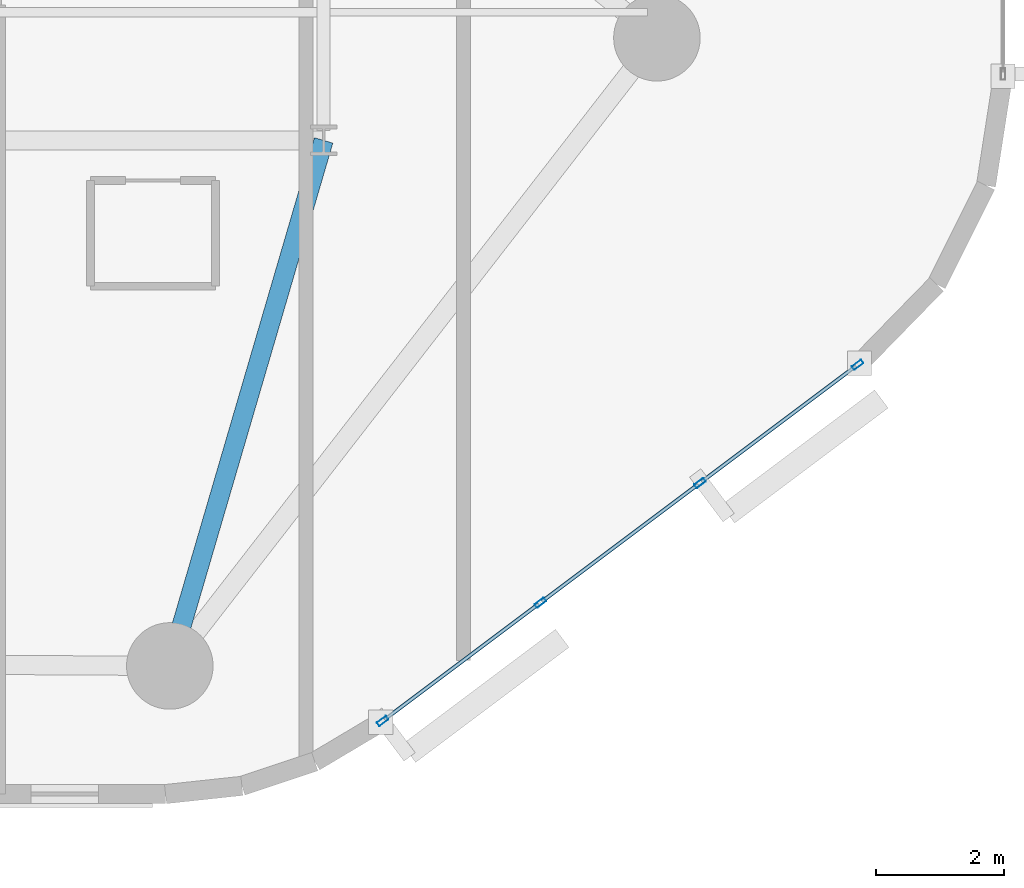
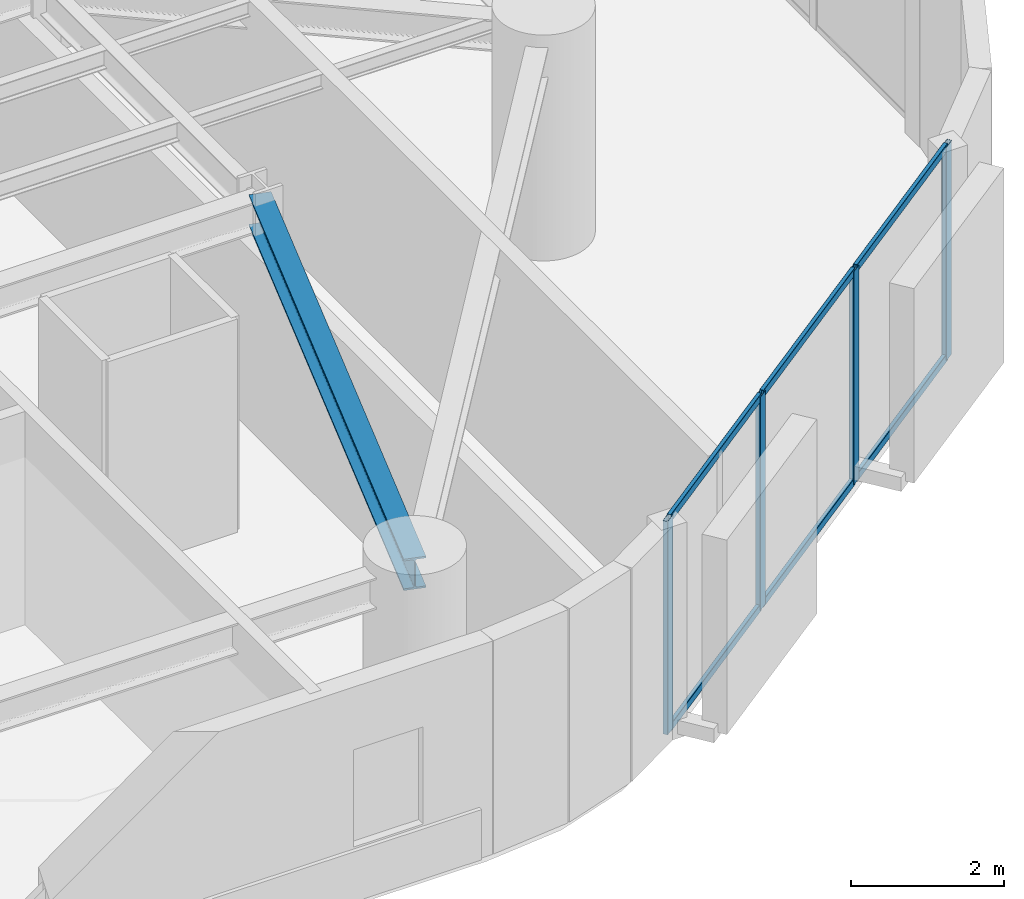
# One storey, part 2 of 16: 10 members, 1 beam, 1 element without a shape of its own.
"""IFC4 building model written with IfcOpenShell, lengths in metres."""

import ifcopenshell
import ifcopenshell.guid

model = None  # the IFC model being written
_history = None  # IfcOwnerHistory: only IFC2X3 demands one
_inside = {}  # id of a spatial element -> (the spatial element, [elements in it])
_under = {}  # id of a project, library or spatial element -> (it, [spatial elements below it])
_declared = {}  # id of a project -> (the project, [libraries it declares])
_typed = {}  # id of a type object -> (the type object, [elements of that type])
_made_of = {}  # id of a material, layer set ... -> (it, [elements and type objects made of it])


def new_model(schema):
    """Start an empty IFC model of exactly this schema.

    Asked for "IFC4X3", IfcOpenShell would pick the latest addendum, in which some entities
    have other attributes; the version numbers below select the first issue.
    IFC2X3 requires an IfcOwnerHistory on every rooted entity: one is made here for all.
    """
    global model, _history
    if schema == "IFC4X3":
        model = ifcopenshell.file(schema_version=(4, 3, 0, 0))
    else:
        model = ifcopenshell.file(schema=schema)
    _inside.clear()
    _under.clear()
    _declared.clear()
    _typed.clear()
    _made_of.clear()
    _history = None
    if model.schema == "IFC2X3":
        org = make("IfcOrganization", Name="unknown")
        user = make(
            "IfcPersonAndOrganization",
            ThePerson=make("IfcPerson", FamilyName="unknown"),
            TheOrganization=org,
        )
        app = make(
            "IfcApplication",
            ApplicationDeveloper=org,
            Version="unknown",
            ApplicationFullName="unknown",
            ApplicationIdentifier="unknown",
        )
        _history = make(
            "IfcOwnerHistory",
            OwningUser=user,
            OwningApplication=app,
            ChangeAction="ADDED",
            CreationDate=0,
        )
    return model


def make(cls, **values):
    """One entity of the class cls with the attributes given. An attribute that is None is left unset."""
    return model.create_entity(
        cls, **{name: value for name, value in values.items() if value is not None}
    )


def rooted(cls, **values):
    """An entity with a GlobalId (a new one), such as an element, a storey or a relation."""
    return make(cls, GlobalId=ifcopenshell.guid.new(), OwnerHistory=_history, **values)


def si_unit(unit_type, name, prefix=None):
    """IfcSIUnit, for example si_unit("LENGTHUNIT", "METRE", prefix="MILLI")."""
    return make("IfcSIUnit", UnitType=unit_type, Prefix=prefix, Name=name)


def assignment(units):
    """IfcUnitAssignment: the units of a project."""
    return None if units is None else make("IfcUnitAssignment", Units=units)


def point(xyz):
    """IfcCartesianPoint."""
    return None if xyz is None else make("IfcCartesianPoint", Coordinates=xyz)


def direction(xyz):
    """IfcDirection."""
    return None if xyz is None else make("IfcDirection", DirectionRatios=xyz)


def frame(location, z_axis=None, x_axis=None):
    """IfcAxis2Placement3D, a coordinate frame: its origin and axes. An axis left out is left unset."""
    return make(
        "IfcAxis2Placement3D",
        Location=point(location),
        Axis=direction(z_axis),
        RefDirection=direction(x_axis),
    )


def frame_2d(location, x_axis=None):
    """IfcAxis2Placement2D, a coordinate frame in the plane: its origin and x axis."""
    return make(
        "IfcAxis2Placement2D", Location=point(location), RefDirection=direction(x_axis)
    )


def origin():
    """The frame at (0, 0, 0) with its axes left unset."""
    return frame((0.0, 0.0, 0.0))


def origin_2d():
    """The frame at (0, 0) in the plane with its x axis left unset."""
    return frame_2d((0.0, 0.0))


def place(relative_to, where):
    """IfcLocalPlacement: puts the frame where relative to a parent placement (None: the world)."""
    return make(
        "IfcLocalPlacement", PlacementRelTo=relative_to, RelativePlacement=where
    )


def context(
    kind, dimensions, precision=None, world=None, true_north=None, identifier=None
):
    """IfcGeometricRepresentationContext, for example the 3D "Model" context."""
    return make(
        "IfcGeometricRepresentationContext",
        ContextIdentifier=identifier,
        ContextType=kind,
        CoordinateSpaceDimension=dimensions,
        Precision=precision,
        WorldCoordinateSystem=world,
        TrueNorth=true_north,
    )


def subcontext(parent, identifier, kind, view, scale=None):
    """IfcGeometricRepresentationSubContext, for example "Body" below "Model"."""
    return make(
        "IfcGeometricRepresentationSubContext",
        ContextIdentifier=identifier,
        ContextType=kind,
        ParentContext=parent,
        TargetScale=scale,
        TargetView=view,
    )


def project(units=None, contexts=None):
    """IfcProject with its units and contexts."""
    return rooted(
        "IfcProject",
        Name="project",
        RepresentationContexts=contexts,
        UnitsInContext=assignment(units),
    )


def spatial(cls, under=None, at=None, **own):
    """A site, building, storey or space (cls), placed at a placement, below another one or the project."""
    s = rooted(cls, ObjectPlacement=at, **own)
    if under is not None:
        _under.setdefault(under.id(), (under, []))[1].append(s)
    return s


def profile(cls, at=None, kind="AREA", **sizes):
    """A parametric profile (cls). Its sizes go by their IFC names, for example OverallWidth=200.0."""
    return make(cls, ProfileType=kind, Position=at, **sizes)


def hollow_rectangle(**sizes):
    """IfcRectangleHollowProfileDef."""
    return profile("IfcRectangleHollowProfileDef", **sizes)


def i_section(**sizes):
    """IfcIShapeProfileDef."""
    return profile("IfcIShapeProfileDef", **sizes)


def extrude(swept, where, along, depth):
    """IfcExtrudedAreaSolid: the profile swept, set in the frame where, extruded along a direction by depth."""
    return make(
        "IfcExtrudedAreaSolid",
        SweptArea=swept,
        Position=where,
        ExtrudedDirection=direction(along),
        Depth=depth,
    )


def shape(context_of_items, identifier, shape_type, items):
    """IfcShapeRepresentation: the items that make up one representation, for example the "Body"."""
    return make(
        "IfcShapeRepresentation",
        ContextOfItems=context_of_items,
        RepresentationIdentifier=identifier,
        RepresentationType=shape_type,
        Items=items,
    )


def material(Name=None, Category=None):
    """IfcMaterial."""
    return make("IfcMaterial", Name=Name, Category=Category)


def layer(
    of_material, thickness, ventilated=None, Name=None, Category=None, Priority=None
):
    """IfcMaterialLayer: one layer of a wall or slab, of a material (None: an air gap)."""
    return make(
        "IfcMaterialLayer",
        Material=of_material,
        LayerThickness=thickness,
        IsVentilated=ventilated,
        Name=Name,
        Category=Category,
        Priority=Priority,
    )


def layer_set(layers, Name=None):
    """IfcMaterialLayerSet."""
    return make("IfcMaterialLayerSet", MaterialLayers=layers, LayerSetName=Name)


def material_profile(
    of_material, cross_section, Name=None, Category=None, Priority=None
):
    """IfcMaterialProfile: a cross section and its material."""
    return make(
        "IfcMaterialProfile",
        Name=Name,
        Material=of_material,
        Profile=cross_section,
        Priority=Priority,
        Category=Category,
    )


def profile_set(profiles, Name=None, composite=None):
    """IfcMaterialProfileSet."""
    return make(
        "IfcMaterialProfileSet",
        Name=Name,
        MaterialProfiles=profiles,
        CompositeProfile=composite,
    )


def made_of(thing, what):
    """Note that an element or type object is made of a material, layer set ...; save() writes the relation."""
    if what is not None:
        _made_of.setdefault(what.id(), (what, []))[1].append(thing)
    return thing


def type_object(cls, material=None, **own):
    """A type object (cls), such as IfcWallType, which elements share."""
    return made_of(rooted(cls, **own), material)


def element(
    cls,
    number,
    at=None,
    inside=None,
    cuts=None,
    type_object=None,
    material=None,
    context=None,
    identifier="Body",
    shape_type=None,
    held_by="IfcProductDefinitionShape",
    body=None,
    shapes=None,
    **own,
):
    """One element of the class cls, such as IfcWall. Its Tag is "e" and its number.

    at: its placement. inside: the storey or other place that contains it. cuts: it is an
    opening in that element (IfcRelVoidsElement). A single representation is given by context,
    identifier, shape_type and body (its items); several are given by shapes. held_by: the class
    of the entity that holds the representations. save() writes the other relations.
    """
    e = rooted(cls, Tag="e%d" % number, ObjectPlacement=at, **own)
    if body is not None:
        shapes = [shape(context, identifier, shape_type, body)]
    if shapes is not None:
        e.Representation = make(held_by, Representations=shapes)
    if inside is not None:
        _inside.setdefault(inside.id(), (inside, []))[1].append(e)
    if cuts is not None:
        rooted(
            "IfcRelVoidsElement", RelatingBuildingElement=cuts, RelatedOpeningElement=e
        )
    if type_object is not None:
        _typed.setdefault(type_object.id(), (type_object, []))[1].append(e)
    return made_of(e, material)


def aggregate(whole, parts):
    """IfcRelAggregates: a whole, such as a stair, and the parts it consists of."""
    return rooted("IfcRelAggregates", RelatingObject=whole, RelatedObjects=parts)


def save(model, path):
    """Write the relations noted so far, then the file.

    IfcRelAggregates (storeys below a building ...), IfcRelContainedInSpatialStructure (elements
    in a storey), IfcRelDefinesByType, IfcRelAssociatesMaterial and IfcRelDeclares: one each for
    every whole, place, type object, material and project.
    """
    for whole, parts in _under.values():
        aggregate(whole, parts)
    for where, things in _inside.values():
        rooted(
            "IfcRelContainedInSpatialStructure",
            RelatedElements=things,
            RelatingStructure=where,
        )
    for kind, things in _typed.values():
        rooted("IfcRelDefinesByType", RelatedObjects=things, RelatingType=kind)
    for what, things in _made_of.values():
        rooted("IfcRelAssociatesMaterial", RelatedObjects=things, RelatingMaterial=what)
    for by, libraries in _declared.values():
        rooted("IfcRelDeclares", RelatingContext=by, RelatedDefinitions=libraries)
    model.write(path)


model = new_model("IFC4")

# Units and contexts
model_context = context("Model", 3, precision=1e-05, world=origin(), true_north=direction((0.0, 1.0)))
body_context = subcontext(model_context, "Body", "Model", "MODEL_VIEW")
ifc_project = project(units=[si_unit("LENGTHUNIT", "METRE"), si_unit("AREAUNIT", "SQUARE_METRE"), si_unit("VOLUMEUNIT", "CUBIC_METRE"), si_unit("PLANEANGLEUNIT", "RADIAN"), si_unit("MASSUNIT", "GRAM", prefix="KILO")], contexts=[model_context])

# Site, building, storey
site_placement = place(None, origin())
site = spatial("IfcSite", under=ifc_project, at=site_placement, CompositionType="ELEMENT")
building_placement = place(site_placement, origin())
building = spatial("IfcBuilding", under=site, at=building_placement, Name="An Khanh Terracotta Commons", CompositionType="ELEMENT")
storey_placement = place(building_placement, frame((0.0, 0.0, 89.89990234375)))
storey = spatial("IfcBuildingStorey", under=building, at=storey_placement, Name="L23", CompositionType="ELEMENT", Elevation=89.89990234375)

# Beam
ifc_material_1 = material(Name="Steel S355J2", Category="steel")
ifc_material_profile_1 = material_profile(ifc_material_1, i_section(OverallWidth=0.300048828125, OverallDepth=0.5, WebThickness=0.014404296875, FlangeThickness=0.028076171875, FilletRadius=0.027099609375, at=origin_2d()), Name="HEB500")
ifc_profile_set_1 = profile_set([ifc_material_profile_1], Name="Steel S355J2")
beam_type = type_object("IfcBeamType", Name="BM-HEB500", PredefinedType="BEAM", material=ifc_profile_set_1)
beam_placement = place(storey_placement, frame((44.39990234375, 6.199951171875, 3.150146484375), z_axis=(0.280916085823, 0.959732333896, 0.0), x_axis=(-0.959732333896, 0.280916085823, 0.0)))
element("IfcBeam", 1, at=beam_placement, inside=storey, type_object=beam_type, Name="L23 Mega-Column Tie Girder 2", PredefinedType="BEAM", context=body_context, shape_type="SweptSolid", body=[
    extrude(i_section(OverallWidth=0.300048828125, OverallDepth=0.5, WebThickness=0.014404296875, FlangeThickness=0.028076171875, FilletRadius=0.027099609375, at=origin_2d()), origin(), (0.0, 0.0, 1.0), 8.5439453125),
])

# Curtain wall, members
ifc_material_2 = material(Name="Anodised Aluminium 6063-T6", Category="aluminium")
ifc_layer = layer(ifc_material_2, 0.199951171875, Name="Anodised Aluminium 6063-T6")
ifc_layer_set = layer_set([ifc_layer], Name="Anodised Aluminium 6063-T6")
curtain_wall_type = type_object("IfcCurtainWallType", Name="CW-SYS-02", PredefinedType="USERDEFINED", material=ifc_layer_set)
curtain_wall_placement = place(storey_placement, origin())
curtain_wall = element("IfcCurtainWall", 2, at=curtain_wall_placement, inside=storey, type_object=curtain_wall_type, Name="L23 CW-02 Unitised Curtain Wall CW-L23-08", ObjectType="UNITISED CURTAIN WALL", PredefinedType="USERDEFINED")
ifc_material_profile_2 = material_profile(ifc_material_2, hollow_rectangle(XDim=0.070068359375, YDim=0.179931640625, WallThickness=0.00390625, InnerFilletRadius=0.00390625, OuterFilletRadius=0.008056640625, at=origin_2d()), Name="RHS180x70x4")
ifc_profile_set_2 = profile_set([ifc_material_profile_2], Name="Anodised Aluminium 6063-T6")
member_type_1 = type_object("IfcMemberType", Name="CWM-RHS180x70x4", PredefinedType="MULLION", material=ifc_profile_set_2)
member_1_placement = place(storey_placement, frame((47.720947265625, 5.341064453125, 0.0), z_axis=(0.0, 0.0, 1.0), x_axis=(-0.599982857492, 0.800012856594, 0.0)))
member_1 = element("IfcMember", 3, at=member_1_placement, type_object=member_type_1, Name="CW-02 mullion 1", PredefinedType="MULLION", context=body_context, shape_type="SweptSolid", body=[
    extrude(hollow_rectangle(XDim=0.070068359375, YDim=0.179931640625, WallThickness=0.00390625, InnerFilletRadius=0.00390625, OuterFilletRadius=0.008056640625, at=origin_2d()), origin(), (0.0, 0.0, 1.0), 3.400146484375),
])
member_2_placement = place(storey_placement, frame((50.181884765625, 7.186767578125, 0.0), z_axis=(0.0, 0.0, 1.0), x_axis=(-0.599982857492, 0.800012856594, 0.0)))
member_2 = element("IfcMember", 4, at=member_2_placement, type_object=member_type_1, Name="CW-02 mullion 2", PredefinedType="MULLION", context=body_context, shape_type="SweptSolid", body=[
    extrude(hollow_rectangle(XDim=0.070068359375, YDim=0.179931640625, WallThickness=0.00390625, InnerFilletRadius=0.00390625, OuterFilletRadius=0.008056640625, at=origin_2d()), origin(), (0.0, 0.0, 1.0), 3.400146484375),
])
member_3_placement = place(storey_placement, frame((52.6708984375, 9.05322265625, 0.0), z_axis=(0.0, 0.0, 1.0), x_axis=(-0.599982857492, 0.800012856594, 0.0)))
member_3 = element("IfcMember", 5, at=member_3_placement, type_object=member_type_1, Name="CW-02 mullion 3", PredefinedType="MULLION", context=body_context, shape_type="SweptSolid", body=[
    extrude(hollow_rectangle(XDim=0.070068359375, YDim=0.179931640625, WallThickness=0.00390625, InnerFilletRadius=0.00390625, OuterFilletRadius=0.008056640625, at=origin_2d()), origin(), (0.0, 0.0, 1.0), 3.400146484375),
])
member_4_placement = place(storey_placement, frame((55.132080078125, 10.89892578125, 0.0), z_axis=(0.0, 0.0, 1.0), x_axis=(-0.599982857492, 0.800012856594, 0.0)))
member_4 = element("IfcMember", 6, at=member_4_placement, type_object=member_type_1, Name="CW-02 mullion 4", PredefinedType="MULLION", context=body_context, shape_type="SweptSolid", body=[
    extrude(hollow_rectangle(XDim=0.070068359375, YDim=0.179931640625, WallThickness=0.00390625, InnerFilletRadius=0.00390625, OuterFilletRadius=0.008056640625, at=origin_2d()), origin(), (0.0, 0.0, 1.0), 3.400146484375),
])
ifc_material_profile_3 = material_profile(ifc_material_2, hollow_rectangle(XDim=0.06005859375, YDim=0.1201171875, WallThickness=0.003662109375, InnerFilletRadius=0.003662109375, OuterFilletRadius=0.007080078125, at=origin_2d()), Name="RHS120x60x3.6")
ifc_profile_set_3 = profile_set([ifc_material_profile_3], Name="Anodised Aluminium 6063-T6")
member_type_2 = type_object("IfcMemberType", Name="CWT-RHS120x60x3.6", PredefinedType="USERDEFINED", material=ifc_profile_set_3)
member_5_placement = place(storey_placement, frame((47.7490234375, 5.362060546875, 0.030029296875), z_axis=(0.800009745217, 0.599987006158, 0.0), x_axis=(-0.599987006158, 0.800009745217, 0.0)))
member_5 = element("IfcMember", 7, at=member_5_placement, type_object=member_type_2, Name="CW-02 transom 1.1", ObjectType="TRANSOM", PredefinedType="USERDEFINED", context=body_context, shape_type="SweptSolid", body=[
    extrude(hollow_rectangle(XDim=0.06005859375, YDim=0.1201171875, WallThickness=0.003662109375, InnerFilletRadius=0.003662109375, OuterFilletRadius=0.007080078125, at=origin_2d()), origin(), (0.0, 0.0, 1.0), 3.00634765625),
])
member_6_placement = place(storey_placement, frame((47.7490234375, 5.362060546875, 3.3701171875), z_axis=(0.800009745217, 0.599987006158, 0.0), x_axis=(-0.599987006158, 0.800009745217, 0.0)))
member_6 = element("IfcMember", 8, at=member_6_placement, type_object=member_type_2, Name="CW-02 transom 1.2", ObjectType="TRANSOM", PredefinedType="USERDEFINED", context=body_context, shape_type="SweptSolid", body=[
    extrude(hollow_rectangle(XDim=0.06005859375, YDim=0.1201171875, WallThickness=0.003662109375, InnerFilletRadius=0.003662109375, OuterFilletRadius=0.007080078125, at=origin_2d()), origin(), (0.0, 0.0, 1.0), 3.00634765625),
])
member_7_placement = place(storey_placement, frame((50.2099609375, 7.207763671875, 0.030029296875), z_axis=(0.800057796972, 0.599922929638, 0.0), x_axis=(-0.599922929638, 0.800057796972, 0.0)))
member_7 = element("IfcMember", 9, at=member_7_placement, type_object=member_type_2, Name="CW-02 transom 2.1", ObjectType="TRANSOM", PredefinedType="USERDEFINED", context=body_context, shape_type="SweptSolid", body=[
    extrude(hollow_rectangle(XDim=0.06005859375, YDim=0.1201171875, WallThickness=0.003662109375, InnerFilletRadius=0.003662109375, OuterFilletRadius=0.007080078125, at=origin_2d()), origin(), (0.0, 0.0, 1.0), 3.041259765625),
])
member_8_placement = place(storey_placement, frame((50.2099609375, 7.207763671875, 3.3701171875), z_axis=(0.800057796972, 0.599922929638, 0.0), x_axis=(-0.599922929638, 0.800057796972, 0.0)))
member_8 = element("IfcMember", 10, at=member_8_placement, type_object=member_type_2, Name="CW-02 transom 2.2", ObjectType="TRANSOM", PredefinedType="USERDEFINED", context=body_context, shape_type="SweptSolid", body=[
    extrude(hollow_rectangle(XDim=0.06005859375, YDim=0.1201171875, WallThickness=0.003662109375, InnerFilletRadius=0.003662109375, OuterFilletRadius=0.007080078125, at=origin_2d()), origin(), (0.0, 0.0, 1.0), 3.041259765625),
])
member_9_placement = place(storey_placement, frame((52.698974609375, 9.07421875, 0.030029296875), z_axis=(0.800009745217, 0.599987006158, 0.0), x_axis=(-0.599987006158, 0.800009745217, 0.0)))
member_9 = element("IfcMember", 11, at=member_9_placement, type_object=member_type_2, Name="CW-02 transom 3.1", ObjectType="TRANSOM", PredefinedType="USERDEFINED", context=body_context, shape_type="SweptSolid", body=[
    extrude(hollow_rectangle(XDim=0.06005859375, YDim=0.1201171875, WallThickness=0.003662109375, InnerFilletRadius=0.003662109375, OuterFilletRadius=0.007080078125, at=origin_2d()), origin(), (0.0, 0.0, 1.0), 3.00634765625),
])
member_10_placement = place(storey_placement, frame((52.698974609375, 9.07421875, 3.3701171875), z_axis=(0.800009745217, 0.599987006158, 0.0), x_axis=(-0.599987006158, 0.800009745217, 0.0)))
member_10 = element("IfcMember", 12, at=member_10_placement, type_object=member_type_2, Name="CW-02 transom 3.2", ObjectType="TRANSOM", PredefinedType="USERDEFINED", context=body_context, shape_type="SweptSolid", body=[
    extrude(hollow_rectangle(XDim=0.06005859375, YDim=0.1201171875, WallThickness=0.003662109375, InnerFilletRadius=0.003662109375, OuterFilletRadius=0.007080078125, at=origin_2d()), origin(), (0.0, 0.0, 1.0), 3.00634765625),
])
aggregate(curtain_wall, [member_1, member_2, member_3, member_4, member_5, member_6, member_7, member_8, member_9, member_10])

save(model, "model.ifc")
